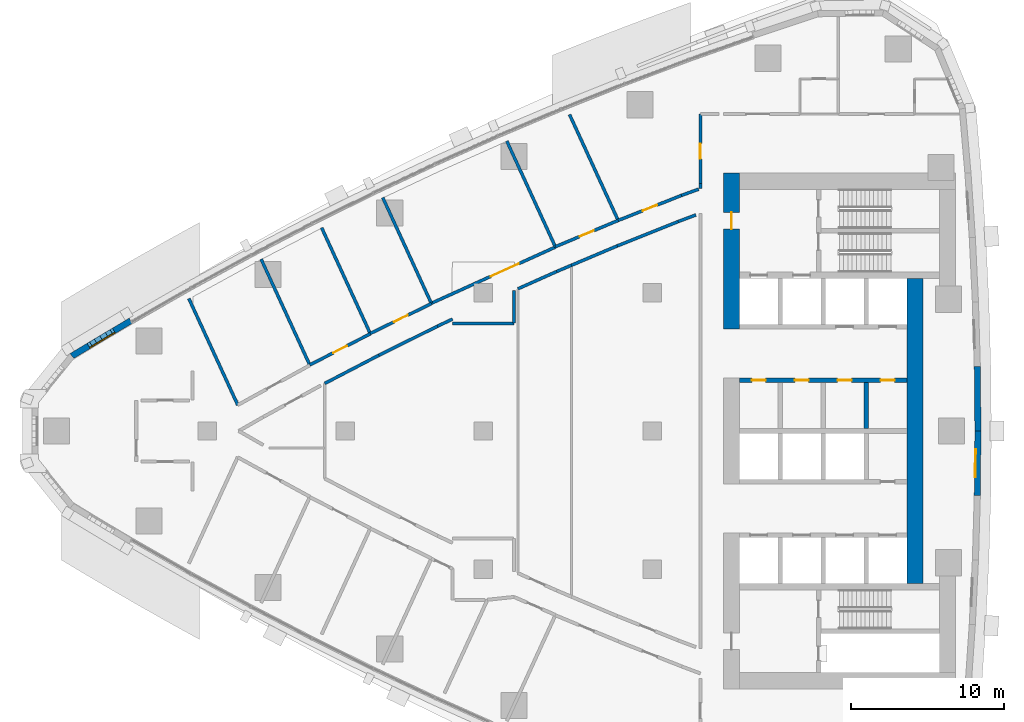
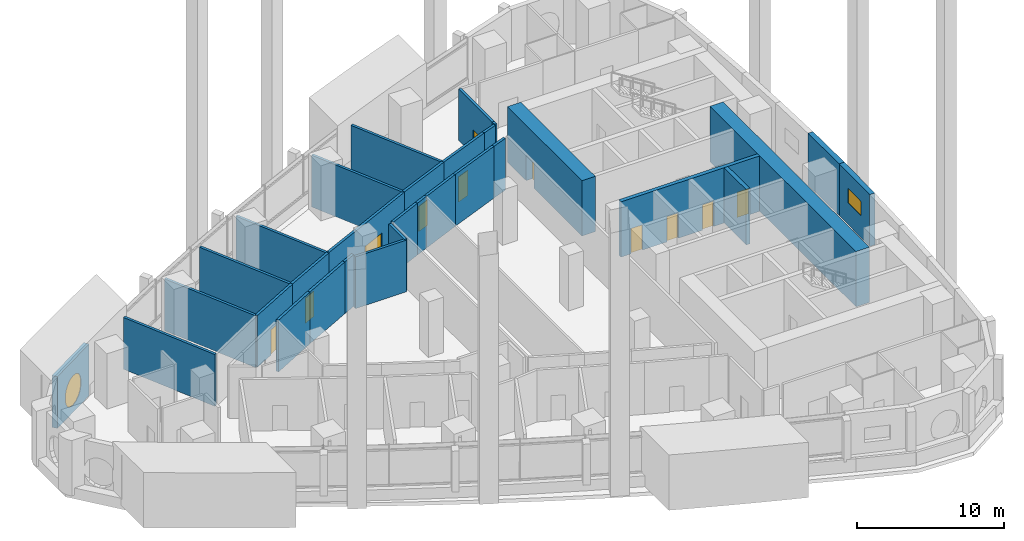
# One storey, part 10 of 17: 31 walls, 11 doors, 2 windows, 13 openings.
"""IFC4 building model written with IfcOpenShell, lengths in metres."""

from ifc_helpers import new_model, si_unit, direction, frame, frame_2d, origin, place, context, subcontext, project, spatial, polyline, rectangle, outline, extrude, material, layer, layer_set, type_object, element, fill, save


model = new_model("IFC4")

# Units and contexts
model_context = context("Model", 3, precision=1e-05, world=origin(), true_north=direction((0.0, 1.0)))
body_context = subcontext(model_context, "Body", "Model", "MODEL_VIEW")
ifc_project = project(units=[si_unit("LENGTHUNIT", "METRE"), si_unit("AREAUNIT", "SQUARE_METRE"), si_unit("VOLUMEUNIT", "CUBIC_METRE"), si_unit("PLANEANGLEUNIT", "RADIAN"), si_unit("MASSUNIT", "GRAM", prefix="KILO")], contexts=[model_context])

# Site, building, storey
site_placement = place(None, origin())
site = spatial("IfcSite", under=ifc_project, at=site_placement, CompositionType="ELEMENT")
building_placement = place(site_placement, origin())
building = spatial("IfcBuilding", under=site, at=building_placement, Name="Ostrand Prow Hotel Tower", CompositionType="ELEMENT")
storey_placement = place(building_placement, frame((0.0, 0.0, 80.300048828125)))
storey = spatial("IfcBuildingStorey", under=building, at=storey_placement, Name="L18", CompositionType="ELEMENT", Elevation=80.300048828125)

# Wall, opening, door
ifc_material_1 = material(Name="Concrete C80/95", Category="concrete")
ifc_layer_1 = layer(ifc_material_1, 1.050048828125)
ifc_layer_set_1 = layer_set([ifc_layer_1], Name="Concrete C80/95")
wall_type_1 = type_object("IfcWallType", Name="Core wall 1050 C80/95", PredefinedType="SHEAR", material=ifc_layer_set_1)
wall_1_placement = place(storey_placement, frame((50.175048828125, 6.64990234375, 0.0), z_axis=(0.0, 0.0, 1.0), x_axis=(0.0, 1.0, 0.0)))
wall_1 = element("IfcWall", 1, at=wall_1_placement, inside=storey, type_object=wall_type_1, Name="Core wall CW-W-N", PredefinedType="SHEAR", context=body_context, shape_type="SweptSolid", body=[
    extrude(rectangle(XDim=10.150146484375, YDim=1.050048828125, at=frame_2d((5.0751953125, 0.0))), origin(), (0.0, 0.0, 1.0), 4.599853515625),
])
opening_1_placement = place(wall_1_placement, frame((6.5, 0.0, 0.0)))
opening_1 = element("IfcOpeningElement", 2, at=opening_1_placement, cuts=wall_1, Name="Opening FD1", PredefinedType="OPENING", context=body_context, shape_type="SweptSolid", body=[
    extrude(rectangle(XDim=1.10009765625, YDim=2.10009765625, at=frame_2d((0.550048828125, 1.050048828125))), frame((0.0, 0.534912109375, 0.0), z_axis=(0.0, -1.0, 0.0), x_axis=(1.0, 0.0, 0.0)), (0.0, 0.0, 1.0), 1.070068359375),
])
ifc_material_2 = material(Name="Steel fire door", Category="steel")
door_type_1 = type_object("IfcDoorType", Name="Fire door 1100 EI120", OperationType="SINGLE_SWING_RIGHT", PredefinedType="DOOR", material=ifc_material_2)
door_1_placement = place(opening_1_placement, origin())
door_1 = element("IfcDoor", 3, at=door_1_placement, inside=storey, type_object=door_type_1, Name="FIRE DOOR", OperationType="SINGLE_SWING_RIGHT", OverallHeight=2.10009765625, OverallWidth=1.10009765625, PredefinedType="DOOR", context=body_context, shape_type="SweptSolid", body=[
    extrude(rectangle(XDim=1.10009765625, YDim=2.10009765625, at=frame_2d((0.550048828125, 1.050048828125))), frame((0.0, 0.02490234375, 0.0), z_axis=(0.0, -1.0, 0.0), x_axis=(1.0, 0.0, 0.0)), (0.0, 0.0, 1.0), 0.050048828125),
])
fill(opening_1, door_1)

# Wall
wall_2_placement = place(storey_placement, frame((62.125, -9.949951171875, 0.0), z_axis=(0.0, 0.0, 1.0), x_axis=(0.0, 1.0, 0.0)))
element("IfcWall", 4, at=wall_2_placement, inside=storey, type_object=wall_type_1, Name="Core wall CW-E-C", PredefinedType="SHEAR", context=body_context, shape_type="SweptSolid", body=[
    extrude(rectangle(XDim=19.89990234375, YDim=1.050048828125, at=frame_2d((9.949951171875, 0.0))), origin(), (0.0, 0.0, 1.0), 4.599853515625),
])

# Wall, openings, doors
ifc_material_3 = material(Name="Concrete C80/95", Category="concrete")
ifc_layer_2 = layer(ifc_material_3, 0.300048828125)
ifc_layer_set_2 = layer_set([ifc_layer_2], Name="Concrete C80/95")
wall_type_2 = type_object("IfcWallType", Name="Core wall 300 C80/95", PredefinedType="SHEAR", material=ifc_layer_set_2)
wall_3_placement = place(storey_placement, frame((50.699951171875, 3.300048828125, 0.0), z_axis=(0.0, 0.0, 1.0), x_axis=(1.0, 0.0, 0.0)))
wall_3 = element("IfcWall", 5, at=wall_3_placement, inside=storey, type_object=wall_type_2, Name="Core wall PW-L1-N", PredefinedType="SHEAR", context=body_context, shape_type="SweptSolid", body=[
    extrude(rectangle(XDim=10.900146484375, YDim=0.300048828125, at=frame_2d((5.4501953125, 0.0))), origin(), (0.0, 0.0, 1.0), 4.599853515625),
])
opening_2_placement = place(wall_3_placement, frame((0.800048828125, 0.0, 0.0)))
opening_2 = element("IfcOpeningElement", 6, at=opening_2_placement, cuts=wall_3, Name="Opening FD2", PredefinedType="OPENING", context=body_context, shape_type="SweptSolid", body=[
    extrude(rectangle(XDim=0.89990234375, YDim=2.10009765625, at=frame_2d((0.449951171875, 1.050048828125))), frame((0.0, 0.159912109375, 0.0), z_axis=(0.0, -1.0, 0.0), x_axis=(1.0, 0.0, 0.0)), (0.0, 0.0, 1.0), 0.320068359375),
])
opening_3_placement = place(wall_3_placement, frame((3.60009765625, 0.0, 0.0)))
opening_3 = element("IfcOpeningElement", 7, at=opening_3_placement, cuts=wall_3, Name="Opening FD2", PredefinedType="OPENING", context=body_context, shape_type="SweptSolid", body=[
    extrude(rectangle(XDim=0.89990234375, YDim=2.10009765625, at=frame_2d((0.449951171875, 1.050048828125))), frame((0.0, 0.159912109375, 0.0), z_axis=(0.0, -1.0, 0.0), x_axis=(1.0, 0.0, 0.0)), (0.0, 0.0, 1.0), 0.320068359375),
])
opening_4_placement = place(wall_3_placement, frame((6.39990234375, 0.0, 0.0)))
opening_4 = element("IfcOpeningElement", 8, at=opening_4_placement, cuts=wall_3, Name="Opening FD2", PredefinedType="OPENING", context=body_context, shape_type="SweptSolid", body=[
    extrude(rectangle(XDim=0.89990234375, YDim=2.10009765625, at=frame_2d((0.449951171875, 1.050048828125))), frame((0.0, 0.159912109375, 0.0), z_axis=(0.0, -1.0, 0.0), x_axis=(1.0, 0.0, 0.0)), (0.0, 0.0, 1.0), 0.320068359375),
])
opening_5_placement = place(wall_3_placement, frame((9.199951171875, 0.0, 0.0)))
opening_5 = element("IfcOpeningElement", 9, at=opening_5_placement, cuts=wall_3, Name="Opening FD2", PredefinedType="OPENING", context=body_context, shape_type="SweptSolid", body=[
    extrude(rectangle(XDim=0.89990234375, YDim=2.10009765625, at=frame_2d((0.449951171875, 1.050048828125))), frame((0.0, 0.159912109375, 0.0), z_axis=(0.0, -1.0, 0.0), x_axis=(1.0, 0.0, 0.0)), (0.0, 0.0, 1.0), 0.320068359375),
])
ifc_material_4 = material(Name="Steel fire door", Category="steel")
door_type_2 = type_object("IfcDoorType", Name="Fire door 900 EI120", OperationType="SINGLE_SWING_LEFT", PredefinedType="DOOR", material=ifc_material_4)
door_2_placement = place(opening_2_placement, origin())
door_2 = element("IfcDoor", 10, at=door_2_placement, inside=storey, type_object=door_type_2, Name="DOOR", OperationType="SINGLE_SWING_LEFT", OverallHeight=2.10009765625, OverallWidth=0.89990234375, PredefinedType="DOOR", context=body_context, shape_type="SweptSolid", body=[
    extrude(rectangle(XDim=0.89990234375, YDim=2.10009765625, at=frame_2d((0.449951171875, 1.050048828125))), frame((0.0, 0.02490234375, 0.0), z_axis=(0.0, -1.0, 0.0), x_axis=(1.0, 0.0, 0.0)), (0.0, 0.0, 1.0), 0.050048828125),
])
fill(opening_2, door_2)
door_3_placement = place(opening_3_placement, origin())
door_3 = element("IfcDoor", 11, at=door_3_placement, inside=storey, type_object=door_type_2, Name="DOOR", OperationType="SINGLE_SWING_LEFT", OverallHeight=2.10009765625, OverallWidth=0.89990234375, PredefinedType="DOOR", context=body_context, shape_type="SweptSolid", body=[
    extrude(rectangle(XDim=0.89990234375, YDim=2.10009765625, at=frame_2d((0.449951171875, 1.050048828125))), frame((0.0, 0.02490234375, 0.0), z_axis=(0.0, -1.0, 0.0), x_axis=(1.0, 0.0, 0.0)), (0.0, 0.0, 1.0), 0.050048828125),
])
fill(opening_3, door_3)
door_4_placement = place(opening_4_placement, origin())
door_4 = element("IfcDoor", 12, at=door_4_placement, inside=storey, type_object=door_type_2, Name="DOOR", OperationType="SINGLE_SWING_LEFT", OverallHeight=2.10009765625, OverallWidth=0.89990234375, PredefinedType="DOOR", context=body_context, shape_type="SweptSolid", body=[
    extrude(rectangle(XDim=0.89990234375, YDim=2.10009765625, at=frame_2d((0.449951171875, 1.050048828125))), frame((0.0, 0.02490234375, 0.0), z_axis=(0.0, -1.0, 0.0), x_axis=(1.0, 0.0, 0.0)), (0.0, 0.0, 1.0), 0.050048828125),
])
fill(opening_4, door_4)
door_5_placement = place(opening_5_placement, origin())
door_5 = element("IfcDoor", 13, at=door_5_placement, inside=storey, type_object=door_type_2, Name="DOOR", OperationType="SINGLE_SWING_LEFT", OverallHeight=2.10009765625, OverallWidth=0.89990234375, PredefinedType="DOOR", context=body_context, shape_type="SweptSolid", body=[
    extrude(rectangle(XDim=0.89990234375, YDim=2.10009765625, at=frame_2d((0.449951171875, 1.050048828125))), frame((0.0, 0.02490234375, 0.0), z_axis=(0.0, -1.0, 0.0), x_axis=(1.0, 0.0, 0.0)), (0.0, 0.0, 1.0), 0.050048828125),
])
fill(opening_5, door_5)

# Wall
wall_4_placement = place(storey_placement, frame((58.949951171875, 0.14990234375, 0.0), z_axis=(0.0, 0.0, 1.0), x_axis=(0.0, 1.0, 0.0)))
element("IfcWall", 14, at=wall_4_placement, inside=storey, type_object=wall_type_2, Name="Core wall PW-R3-NB", PredefinedType="SHEAR", context=body_context, shape_type="SweptSolid", body=[
    extrude(rectangle(XDim=3.0, YDim=0.300048828125, at=frame_2d((1.5, 0.0))), origin(), (0.0, 0.0, 1.0), 4.599853515625),
])

# Wall, opening, door
ifc_material_5 = material(Name="Plasterboard partition")
ifc_layer_3 = layer(ifc_material_5, 0.199951171875)
ifc_layer_set_3 = layer_set([ifc_layer_3], Name="Plasterboard partition")
wall_type_3 = type_object("IfcWallType", Name="Partition 200 corridor wall", PredefinedType="PARTITIONING", material=ifc_layer_set_3)
wall_5_placement = place(storey_placement, frame((22.6904296875, 4.302490234375, 0.0), z_axis=(0.0, 0.0, 1.0), x_axis=(0.889236075961, 0.457448577667, 0.0)))
wall_5 = element("IfcWall", 15, at=wall_5_placement, inside=storey, type_object=wall_type_3, Name="CORRIDOR WALL", PredefinedType="PARTITIONING", context=body_context, shape_type="SweptSolid", body=[
    extrude(rectangle(XDim=4.443115234375, YDim=0.199951171875, at=frame_2d((2.2216796875, 0.0))), origin(), (0.0, 0.0, 1.0), 4.300048828125),
])
opening_6_placement = place(wall_5_placement, frame((1.721435546875, 0.0, 0.0)))
opening_6 = element("IfcOpeningElement", 16, at=opening_6_placement, cuts=wall_5, Name="Opening D1", PredefinedType="OPENING", context=body_context, shape_type="SweptSolid", body=[
    extrude(rectangle(XDim=1.0, YDim=2.10009765625, at=frame_2d((0.5, 1.050048828125))), frame((0.0, 0.10986328125, 0.0), z_axis=(0.0, -1.0, 0.0), x_axis=(1.0, 0.0, 0.0)), (0.0, 0.0, 1.0), 0.219970703125),
])
ifc_material_6 = material(Name="Timber door leaf", Category="wood")
door_type_3 = type_object("IfcDoorType", Name="Guest room door 1000", OperationType="SINGLE_SWING_LEFT", PredefinedType="DOOR", material=ifc_material_6)
door_6_placement = place(opening_6_placement, origin())
door_6 = element("IfcDoor", 17, at=door_6_placement, inside=storey, type_object=door_type_3, Name="DOOR", OperationType="SINGLE_SWING_LEFT", OverallHeight=2.10009765625, OverallWidth=1.0, PredefinedType="DOOR", context=body_context, shape_type="SweptSolid", body=[
    extrude(rectangle(XDim=1.0, YDim=2.10009765625, at=frame_2d((0.5, 1.050048828125))), frame((0.0, 0.02490234375, 0.0), z_axis=(0.0, -1.0, 0.0), x_axis=(1.0, 0.0, 0.0)), (0.0, 0.0, 1.0), 0.050048828125),
])
fill(opening_6, door_6)

wall_6_placement = place(storey_placement, frame((26.6328125, 6.35302734375, 0.0), z_axis=(0.0, 0.0, 1.0), x_axis=(0.898502457097, 0.438968489291, 0.0)))
wall_6 = element("IfcWall", 18, at=wall_6_placement, inside=storey, type_object=wall_type_3, Name="CORRIDOR WALL", PredefinedType="PARTITIONING", context=body_context, shape_type="SweptSolid", body=[
    extrude(rectangle(XDim=4.43994140625, YDim=0.199951171875, at=frame_2d((2.219970703125, 0.0))), origin(), (0.0, 0.0, 1.0), 4.300048828125),
])
opening_7_placement = place(wall_6_placement, frame((1.719970703125, 0.0, 0.0)))
opening_7 = element("IfcOpeningElement", 19, at=opening_7_placement, cuts=wall_6, Name="Opening D1R", PredefinedType="OPENING", context=body_context, shape_type="SweptSolid", body=[
    extrude(rectangle(XDim=1.0, YDim=2.10009765625, at=frame_2d((0.5, 1.050048828125))), frame((0.0, 0.10986328125, 0.0), z_axis=(0.0, -1.0, 0.0), x_axis=(1.0, 0.0, 0.0)), (0.0, 0.0, 1.0), 0.219970703125),
])
ifc_material_7 = material(Name="Timber door leaf", Category="wood")
door_type_4 = type_object("IfcDoorType", Name="Guest room door 1000 right", OperationType="SINGLE_SWING_RIGHT", PredefinedType="DOOR", material=ifc_material_7)
door_7_placement = place(opening_7_placement, origin())
door_7 = element("IfcDoor", 20, at=door_7_placement, inside=storey, type_object=door_type_4, Name="DOOR", OperationType="SINGLE_SWING_RIGHT", OverallHeight=2.10009765625, OverallWidth=1.0, PredefinedType="DOOR", context=body_context, shape_type="SweptSolid", body=[
    extrude(rectangle(XDim=1.0, YDim=2.10009765625, at=frame_2d((0.5, 1.050048828125))), frame((0.0, 0.02490234375, 0.0), z_axis=(0.0, -1.0, 0.0), x_axis=(1.0, 0.0, 0.0)), (0.0, 0.0, 1.0), 0.050048828125),
])
fill(opening_7, door_7)

wall_7_placement = place(storey_placement, frame((30.61376953125, 8.320068359375, 0.0), z_axis=(0.0, 0.0, 1.0), x_axis=(0.910751030363, 0.41295588226, 0.0)))
wall_7 = element("IfcWall", 21, at=wall_7_placement, inside=storey, type_object=wall_type_3, Name="CORRIDOR WALL", PredefinedType="PARTITIONING", context=body_context, shape_type="SweptSolid", body=[
    extrude(rectangle(XDim=8.88330078125, YDim=0.199951171875, at=frame_2d((4.441650390625, 0.0))), origin(), (0.0, 0.0, 1.0), 4.300048828125),
])
opening_8_placement = place(wall_7_placement, frame((4.25, 0.0, 0.0)))
opening_8 = element("IfcOpeningElement", 22, at=opening_8_placement, cuts=wall_7, Name="Opening D20", PredefinedType="OPENING", context=body_context, shape_type="SweptSolid", body=[
    extrude(rectangle(XDim=2.0, YDim=2.39990234375, at=frame_2d((1.0, 1.199951171875))), frame((0.0, 0.10986328125, 0.0), z_axis=(0.0, -1.0, 0.0), x_axis=(1.0, 0.0, 0.0)), (0.0, 0.0, 1.0), 0.219970703125),
])
ifc_material_8 = material(Name="Timber door leaf", Category="wood")
door_type_5 = type_object("IfcDoorType", Name="Double door 2000", OperationType="DOUBLE_DOOR_SINGLE_SWING", PredefinedType="DOOR", material=ifc_material_8)
door_8_placement = place(opening_8_placement, origin())
door_8 = element("IfcDoor", 23, at=door_8_placement, inside=storey, type_object=door_type_5, Name="DOOR", OperationType="DOUBLE_DOOR_SINGLE_SWING", OverallHeight=2.39990234375, OverallWidth=2.0, PredefinedType="DOOR", context=body_context, shape_type="SweptSolid", body=[
    extrude(rectangle(XDim=2.0, YDim=2.39990234375, at=frame_2d((1.0, 1.199951171875))), frame((0.0, 0.02490234375, 0.0), z_axis=(0.0, -1.0, 0.0), x_axis=(1.0, 0.0, 0.0)), (0.0, 0.0, 1.0), 0.050048828125),
])
fill(opening_8, door_8)

wall_8_placement = place(storey_placement, frame((42.791015625, 13.7236328125, 0.0), z_axis=(0.0, 0.0, 1.0), x_axis=(-0.922230433067, -0.386640696675, 0.0)))
wall_8 = element("IfcWall", 24, at=wall_8_placement, inside=storey, type_object=wall_type_3, Name="CORRIDOR WALL", PredefinedType="PARTITIONING", context=body_context, shape_type="SweptSolid", body=[
    extrude(rectangle(XDim=4.440185546875, YDim=0.199951171875, at=frame_2d((2.22021484375, 0.0))), origin(), (0.0, 0.0, 1.0), 4.300048828125),
])
opening_9_placement = place(wall_8_placement, frame((1.72021484375, 0.0, 0.0)))
opening_9 = element("IfcOpeningElement", 25, at=opening_9_placement, cuts=wall_8, Name="Opening D1R", PredefinedType="OPENING", context=body_context, shape_type="SweptSolid", body=[
    extrude(rectangle(XDim=1.0, YDim=2.10009765625, at=frame_2d((0.5, 1.050048828125))), frame((0.0, 0.10986328125, 0.0), z_axis=(0.0, -1.0, 0.0), x_axis=(1.0, 0.0, 0.0)), (0.0, 0.0, 1.0), 0.219970703125),
])
door_9_placement = place(opening_9_placement, origin())
door_9 = element("IfcDoor", 26, at=door_9_placement, inside=storey, type_object=door_type_4, Name="DOOR", OperationType="SINGLE_SWING_RIGHT", OverallHeight=2.10009765625, OverallWidth=1.0, PredefinedType="DOOR", context=body_context, shape_type="SweptSolid", body=[
    extrude(rectangle(XDim=1.0, YDim=2.10009765625, at=frame_2d((0.5, 1.050048828125))), frame((0.0, 0.02490234375, 0.0), z_axis=(0.0, -1.0, 0.0), x_axis=(1.0, 0.0, 0.0)), (0.0, 0.0, 1.0), 0.050048828125),
])
fill(opening_9, door_9)

wall_9_placement = place(storey_placement, frame((46.92431640625, 15.356689453125, 0.0), z_axis=(0.0, 0.0, 1.0), x_axis=(-0.930040633249, -0.367456692014, 0.0)))
wall_9 = element("IfcWall", 27, at=wall_9_placement, inside=storey, type_object=wall_type_3, Name="CORRIDOR WALL", PredefinedType="PARTITIONING", context=body_context, shape_type="SweptSolid", body=[
    extrude(rectangle(XDim=4.4443359375, YDim=0.199951171875, at=frame_2d((2.22216796875, 0.0))), origin(), (0.0, 0.0, 1.0), 4.300048828125),
])
opening_10_placement = place(wall_9_placement, frame((1.72216796875, 0.0, 0.0)))
opening_10 = element("IfcOpeningElement", 28, at=opening_10_placement, cuts=wall_9, Name="Opening D1", PredefinedType="OPENING", context=body_context, shape_type="SweptSolid", body=[
    extrude(rectangle(XDim=1.0, YDim=2.10009765625, at=frame_2d((0.5, 1.050048828125))), frame((0.0, 0.10986328125, 0.0), z_axis=(0.0, -1.0, 0.0), x_axis=(1.0, 0.0, 0.0)), (0.0, 0.0, 1.0), 0.219970703125),
])
door_10_placement = place(opening_10_placement, origin())
door_10 = element("IfcDoor", 29, at=door_10_placement, inside=storey, type_object=door_type_3, Name="DOOR", OperationType="SINGLE_SWING_LEFT", OverallHeight=2.10009765625, OverallWidth=1.0, PredefinedType="DOOR", context=body_context, shape_type="SweptSolid", body=[
    extrude(rectangle(XDim=1.0, YDim=2.10009765625, at=frame_2d((0.5, 1.050048828125))), frame((0.0, 0.02490234375, 0.0), z_axis=(0.0, -1.0, 0.0), x_axis=(1.0, 0.0, 0.0)), (0.0, 0.0, 1.0), 0.050048828125),
])
fill(opening_10, door_10)

# Walls
wall_10_placement = place(storey_placement, frame((31.02490234375, 6.83349609375, 0.0), z_axis=(0.0, 0.0, 1.0), x_axis=(0.904690325494, 0.426069730159, 0.0)))
element("IfcWall", 30, at=wall_10_placement, inside=storey, type_object=wall_type_3, Name="CORRIDOR WALL", PredefinedType="PARTITIONING", context=body_context, shape_type="SweptSolid", body=[
    extrude(rectangle(XDim=1.077880859375, YDim=0.199951171875, at=frame_2d((0.5390625, 0.0))), origin(), (0.0, 0.0, 1.0), 4.300048828125),
])
wall_11_placement = place(storey_placement, frame((23.662109375, 3.094970703125, 0.0), z_axis=(0.0, 0.0, 1.0), x_axis=(0.886903625221, 0.461954499459, 0.0)))
element("IfcWall", 31, at=wall_11_placement, inside=storey, type_object=wall_type_3, Name="CORRIDOR WALL", PredefinedType="PARTITIONING", context=body_context, shape_type="SweptSolid", body=[
    extrude(rectangle(XDim=3.98486328125, YDim=0.199951171875, at=frame_2d((1.992431640625, 0.0))), origin(), (0.0, 0.0, 1.0), 4.300048828125),
])
wall_12_placement = place(storey_placement, frame((27.1962890625, 4.935791015625, 0.0), z_axis=(0.0, 0.0, 1.0), x_axis=(0.895975836328, 0.44410280422, 0.0)))
element("IfcWall", 32, at=wall_12_placement, inside=storey, type_object=wall_type_3, Name="CORRIDOR WALL", PredefinedType="PARTITIONING", context=body_context, shape_type="SweptSolid", body=[
    extrude(rectangle(XDim=4.273193359375, YDim=0.199951171875, at=frame_2d((2.13671875, 0.0))), origin(), (0.0, 0.0, 1.0), 4.300048828125),
])
wall_13_placement = place(storey_placement, frame((38.7919921875, 10.397216796875, 0.0), z_axis=(0.0, 0.0, 1.0), x_axis=(0.921080112261, 0.389373120281, 0.0)))
element("IfcWall", 33, at=wall_13_placement, inside=storey, type_object=wall_type_3, Name="CORRIDOR WALL", PredefinedType="PARTITIONING", context=body_context, shape_type="SweptSolid", body=[
    extrude(rectangle(XDim=1.044677734375, YDim=0.199951171875, at=frame_2d((0.5224609375, 0.0))), origin(), (0.0, 0.0, 1.0), 4.300048828125),
])
wall_14_placement = place(storey_placement, frame((36.255859375, 9.26416015625, 0.0), z_axis=(0.0, 0.0, 1.0), x_axis=(0.913023336604, 0.407907326259, 0.0)))
element("IfcWall", 34, at=wall_14_placement, inside=storey, type_object=wall_type_3, Name="CORRIDOR WALL", PredefinedType="PARTITIONING", context=body_context, shape_type="SweptSolid", body=[
    extrude(rectangle(XDim=2.77783203125, YDim=0.199951171875, at=frame_2d((1.388916015625, 0.0))), origin(), (0.0, 0.0, 1.0), 4.300048828125),
])
wall_15_placement = place(storey_placement, frame((42.727783203125, 12.0615234375, 0.0), z_axis=(0.0, 0.0, 1.0), x_axis=(0.928638161177, 0.370986745864, 0.0)))
element("IfcWall", 35, at=wall_15_placement, inside=storey, type_object=wall_type_3, Name="CORRIDOR WALL", PredefinedType="PARTITIONING", context=body_context, shape_type="SweptSolid", body=[
    extrude(rectangle(XDim=4.27294921875, YDim=0.199951171875, at=frame_2d((2.136474609375, 0.0))), origin(), (0.0, 0.0, 1.0), 4.300048828125),
])
wall_16_placement = place(storey_placement, frame((39.754150390625, 10.803955078125, 0.0), z_axis=(0.0, 0.0, 1.0), x_axis=(0.921023598919, 0.389506778163, 0.0)))
element("IfcWall", 36, at=wall_16_placement, inside=storey, type_object=wall_type_3, Name="CORRIDOR WALL", PredefinedType="PARTITIONING", context=body_context, shape_type="SweptSolid", body=[
    extrude(rectangle(XDim=3.228515625, YDim=0.199951171875, at=frame_2d((1.6142578125, 0.0))), origin(), (0.0, 0.0, 1.0), 4.300048828125),
])
wall_17_placement = place(storey_placement, frame((46.69580078125, 13.646728515625, 0.0), z_axis=(0.0, 0.0, 1.0), x_axis=(0.935907269358, 0.352246480696, 0.0)))
element("IfcWall", 37, at=wall_17_placement, inside=storey, type_object=wall_type_3, Name="CORRIDOR WALL", PredefinedType="PARTITIONING", context=body_context, shape_type="SweptSolid", body=[
    extrude(rectangle(XDim=1.238525390625, YDim=0.199951171875, at=frame_2d((0.619140625, 0.0))), origin(), (0.0, 0.0, 1.0), 4.300048828125),
])

# Wall, opening, door
wall_18_placement = place(storey_placement, frame((48.1455078125, 20.65185546875, 0.0), z_axis=(0.0, 0.0, 1.0), x_axis=(-5.3821313e-05, -0.999999998552, 0.0)))
wall_18 = element("IfcWall", 38, at=wall_18_placement, inside=storey, type_object=wall_type_3, Name="CORRIDOR WALL", PredefinedType="PARTITIONING", context=body_context, shape_type="SweptSolid", body=[
    extrude(rectangle(XDim=4.5361328125, YDim=0.199951171875, at=frame_2d((2.26806640625, 0.0))), origin(), (0.0, 0.0, 1.0), 4.300048828125),
])
opening_11_placement = place(wall_18_placement, frame((1.926025390625, 0.0, 0.0)))
opening_11 = element("IfcOpeningElement", 39, at=opening_11_placement, cuts=wall_18, Name="Opening D1R", PredefinedType="OPENING", context=body_context, shape_type="SweptSolid", body=[
    extrude(rectangle(XDim=1.0, YDim=2.10009765625, at=frame_2d((0.5, 1.050048828125))), frame((0.0, 0.10986328125, 0.0), z_axis=(0.0, -1.0, 0.0), x_axis=(1.0, 0.0, 0.0)), (0.0, 0.0, 1.0), 0.219970703125),
])
door_11_placement = place(opening_11_placement, origin())
door_11 = element("IfcDoor", 40, at=door_11_placement, inside=storey, type_object=door_type_4, Name="DOOR", OperationType="SINGLE_SWING_RIGHT", OverallHeight=2.10009765625, OverallWidth=1.0, PredefinedType="DOOR", context=body_context, shape_type="SweptSolid", body=[
    extrude(rectangle(XDim=1.0, YDim=2.10009765625, at=frame_2d((0.5, 1.050048828125))), frame((0.0, 0.02490234375, 0.0), z_axis=(0.0, -1.0, 0.0), x_axis=(1.0, 0.0, 0.0)), (0.0, 0.0, 1.0), 0.050048828125),
])
fill(opening_11, door_11)

# Walls
wall_19_placement = place(storey_placement, frame((31.99951171875, 6.9951171875, 0.0), z_axis=(0.0, 0.0, 1.0), x_axis=(0.99999999256, 0.00012198097, 0.0)))
element("IfcWall", 41, at=wall_19_placement, inside=storey, type_object=wall_type_3, Name="CORRIDOR WALL", PredefinedType="PARTITIONING", context=body_context, shape_type="SweptSolid", body=[
    extrude(rectangle(XDim=4.0029296875, YDim=0.199951171875, at=frame_2d((2.00146484375, 0.0))), origin(), (0.0, 0.0, 1.0), 4.300048828125),
])
wall_20_placement = place(storey_placement, frame((36.00244140625, 7.03564453125, 0.0), z_axis=(0.0, 0.0, 1.0), x_axis=(0.001156603436, 0.999999331134, 0.0)))
element("IfcWall", 42, at=wall_20_placement, inside=storey, type_object=wall_type_3, Name="CORRIDOR WALL", PredefinedType="PARTITIONING", context=body_context, shape_type="SweptSolid", body=[
    extrude(rectangle(XDim=2.11083984375, YDim=0.199951171875, at=frame_2d((1.055419921875, 0.0))), origin(), (0.0, 0.0, 1.0), 4.300048828125),
])
wall_21_placement = place(storey_placement, frame((48.145263671875, 16.11572265625, 0.0), z_axis=(0.0, 0.0, 1.0), x_axis=(0.0, -1.0, 0.0)))
element("IfcWall", 43, at=wall_21_placement, inside=storey, type_object=wall_type_3, Name="CORRIDOR WALL", PredefinedType="PARTITIONING", context=body_context, shape_type="SweptSolid", body=[
    extrude(rectangle(XDim=0.315185546875, YDim=0.199951171875, at=frame_2d((0.15771484375, 0.0))), origin(), (0.0, 0.0, 1.0), 4.300048828125),
])
wall_22_placement = place(storey_placement, frame((48.033203125, 15.75830078125, 0.0), z_axis=(0.0, 0.0, 1.0), x_axis=(-0.940233856013, -0.340529434862, 0.0)))
element("IfcWall", 44, at=wall_22_placement, inside=storey, type_object=wall_type_3, Name="CORRIDOR WALL", PredefinedType="PARTITIONING", context=body_context, shape_type="SweptSolid", body=[
    extrude(rectangle(XDim=1.179443359375, YDim=0.199951171875, at=frame_2d((0.58984375, 0.0))), origin(), (0.0, 0.0, 1.0), 4.300048828125),
])
ifc_material_9 = material(Name="Plasterboard partition")
ifc_layer_4 = layer(ifc_material_9, 0.199951171875)
ifc_layer_set_4 = layer_set([ifc_layer_4], Name="Plasterboard partition")
wall_type_4 = type_object("IfcWallType", Name="Partition 200 key partition", PredefinedType="PARTITIONING", material=ifc_layer_set_4)
wall_23_placement = place(storey_placement, frame((14.814697265625, 8.625732421875, 0.0), z_axis=(0.0, 0.0, 1.0), x_axis=(0.417432341259, -0.908708006166, 0.0)))
element("IfcWall", 45, at=wall_23_placement, inside=storey, type_object=wall_type_4, Name="KEY PARTITION", PredefinedType="PARTITIONING", context=body_context, shape_type="SweptSolid", body=[
    extrude(rectangle(XDim=7.630615234375, YDim=0.199951171875, at=frame_2d((3.8154296875, 0.0))), origin(), (0.0, 0.0, 1.0), 4.300048828125),
])
wall_24_placement = place(storey_placement, frame((22.69873046875, 4.284423828125, 0.0), z_axis=(0.0, 0.0, 1.0), x_axis=(-0.417413534969, 0.908716644959, 0.0)))
element("IfcWall", 46, at=wall_24_placement, inside=storey, type_object=wall_type_4, Name="KEY PARTITION", PredefinedType="PARTITIONING", context=body_context, shape_type="SweptSolid", body=[
    extrude(rectangle(XDim=7.609375, YDim=0.199951171875, at=frame_2d((3.8046875, 0.0))), origin(), (0.0, 0.0, 1.0), 4.300048828125),
])
wall_25_placement = place(storey_placement, frame((26.641357421875, 6.3349609375, 0.0), z_axis=(0.0, 0.0, 1.0), x_axis=(-0.417455028008, 0.908697584233, 0.0)))
element("IfcWall", 47, at=wall_25_placement, inside=storey, type_object=wall_type_4, Name="KEY PARTITION", PredefinedType="PARTITIONING", context=body_context, shape_type="SweptSolid", body=[
    extrude(rectangle(XDim=7.603271484375, YDim=0.199951171875, at=frame_2d((3.8017578125, 0.0))), origin(), (0.0, 0.0, 1.0), 4.300048828125),
])
wall_26_placement = place(storey_placement, frame((30.6220703125, 8.302001953125, 0.0), z_axis=(0.0, 0.0, 1.0), x_axis=(-0.417429919618, 0.90870911859, 0.0)))
element("IfcWall", 48, at=wall_26_placement, inside=storey, type_object=wall_type_4, Name="KEY PARTITION", PredefinedType="PARTITIONING", context=body_context, shape_type="SweptSolid", body=[
    extrude(rectangle(XDim=7.600341796875, YDim=0.199951171875, at=frame_2d((3.80029296875, 0.0))), origin(), (0.0, 0.0, 1.0), 4.300048828125),
])
wall_27_placement = place(storey_placement, frame((38.704345703125, 11.988525390625, 0.0), z_axis=(0.0, 0.0, 1.0), x_axis=(-0.417416334044, 0.908715359215, 0.0)))
element("IfcWall", 49, at=wall_27_placement, inside=storey, type_object=wall_type_4, Name="KEY PARTITION", PredefinedType="PARTITIONING", context=body_context, shape_type="SweptSolid", body=[
    extrude(rectangle(XDim=7.603515625, YDim=0.199951171875, at=frame_2d((3.8017578125, 0.0))), origin(), (0.0, 0.0, 1.0), 4.300048828125),
])
wall_28_placement = place(storey_placement, frame((42.79931640625, 13.705322265625, 0.0), z_axis=(0.0, 0.0, 1.0), x_axis=(-0.417427858403, 0.908710065438, 0.0)))
element("IfcWall", 50, at=wall_28_placement, inside=storey, type_object=wall_type_4, Name="KEY PARTITION", PredefinedType="PARTITIONING", context=body_context, shape_type="SweptSolid", body=[
    extrude(rectangle(XDim=7.609619140625, YDim=0.199951171875, at=frame_2d((3.8046875, 0.0))), origin(), (0.0, 0.0, 1.0), 4.300048828125),
])

# Wall, opening, window
ifc_material_10 = material(Name="Precast concrete C40/50", Category="concrete")
ifc_layer_5 = layer(ifc_material_10, 0.39990234375)
ifc_layer_set_5 = layer_set([ifc_layer_5], Name="Precast concrete C40/50")
wall_type_5 = type_object("IfcWallType", Name="Stone-faced precast wall 400 mm", PredefinedType="NOTDEFINED", material=ifc_layer_set_5)
wall_29_placement = place(storey_placement, frame((11.02587890625, 7.18603515625, 0.0), z_axis=(0.0, 0.0, 1.0), x_axis=(-0.857550776474, -0.514399325202, 0.0)))
wall_29 = element("IfcWall", 51, at=wall_29_placement, inside=storey, type_object=wall_type_5, Name="Stone-faced wall prow 1", PredefinedType="NOTDEFINED", context=body_context, shape_type="SweptSolid", body=[
    extrude(outline(polyline([(0.0, -0.199951171875), (4.50341796875, -0.199951171875), (4.4326171875, 0.199951171875), (0.0, 0.199951171875), (0.0, -0.199951171875)])), origin(), (0.0, 0.0, 1.0), 4.300048828125),
])
opening_12_placement = place(wall_29_placement, frame((1.134033203125, 0.0, 0.60009765625)))
opening_12 = element("IfcOpeningElement", 52, at=opening_12_placement, cuts=wall_29, Name="Opening WP2", PredefinedType="OPENING", context=body_context, shape_type="SweptSolid", body=[
    extrude(outline(polyline([(0.0, 1.35009765625), (0.083740234375, 1.77099609375), (0.322265625, 2.127685546875), (0.678955078125, 2.3662109375), (1.10009765625, 2.449951171875), (1.52099609375, 2.3662109375), (1.877685546875, 2.127685546875), (2.1162109375, 1.77099609375), (2.199951171875, 1.35009765625), (2.199951171875, 1.10009765625), (2.1162109375, 0.678955078125), (1.877685546875, 0.322265625), (1.52099609375, 0.083740234375), (1.10009765625, 0.0), (0.678955078125, 0.083740234375), (0.322265625, 0.322265625), (0.083740234375, 0.678955078125), (0.0, 1.099853515625), (0.0, 1.35009765625)])), frame((0.0, 0.2099609375, 0.0), z_axis=(0.0, -1.0, 0.0), x_axis=(1.0, 0.0, 0.0)), (0.0, 0.0, 1.0), 0.419921875),
])
ifc_material_11 = material(Name="Insulated glass in bronze frame", Category="glass")
window_type_1 = type_object("IfcWindowType", Name="Round-ended prow lounge window 2200x2450", PartitioningType="SINGLE_PANEL", PredefinedType="WINDOW", material=ifc_material_11)
window_1_placement = place(opening_12_placement, origin())
window_1 = element("IfcWindow", 53, at=window_1_placement, inside=storey, type_object=window_type_1, Name="Window prow 1.1", OverallHeight=2.449951171875, OverallWidth=2.199951171875, PartitioningType="SINGLE_PANEL", PredefinedType="WINDOW", context=body_context, shape_type="SweptSolid", body=[
    extrude(outline(polyline([(0.0, 1.35009765625), (0.083740234375, 1.77099609375), (0.322265625, 2.127685546875), (0.678955078125, 2.3662109375), (1.10009765625, 2.449951171875), (1.52099609375, 2.3662109375), (1.877685546875, 2.127685546875), (2.1162109375, 1.77099609375), (2.199951171875, 1.35009765625), (2.199951171875, 1.10009765625), (2.1162109375, 0.678955078125), (1.877685546875, 0.322265625), (1.52099609375, 0.083740234375), (1.10009765625, 0.0), (0.678955078125, 0.083740234375), (0.322265625, 0.322265625), (0.083740234375, 0.678955078125), (0.0, 1.099853515625), (0.0, 1.35009765625)])), frame((0.0, 0.169921875, 0.0), z_axis=(0.0, -1.0, 0.0), x_axis=(1.0, 0.0, 0.0)), (0.0, 0.0, 1.0), 0.06005859375),
])
fill(opening_12, window_1)

wall_30_placement = place(storey_placement, frame((66.193603515625, -4.20654296875, 0.0), z_axis=(0.0, 0.0, 1.0), x_axis=(0.00969194175, 0.99995303203, 0.0)))
wall_30 = element("IfcWall", 54, at=wall_30_placement, inside=storey, type_object=wall_type_5, Name="Stone-faced wall back 9", PredefinedType="NOTDEFINED", context=body_context, shape_type="SweptSolid", body=[
    extrude(outline(polyline([(-0.001953125, -0.199951171875), (4.208740234375, -0.199951171875), (4.204833984375, 0.199951171875), (0.001953125, 0.199951171875), (-0.001953125, -0.199951171875)])), origin(), (0.0, 0.0, 1.0), 4.300048828125),
])
opening_13_placement = place(wall_30_placement, frame((1.203369140625, 0.0, 1.800048828125)))
opening_13 = element("IfcOpeningElement", 55, at=opening_13_placement, cuts=wall_30, Name="Opening WC1", PredefinedType="OPENING", context=body_context, shape_type="SweptSolid", body=[
    extrude(rectangle(XDim=1.800048828125, YDim=1.199951171875, at=frame_2d((0.89990234375, 0.60009765625))), frame((0.0, 0.2099609375, 0.0), z_axis=(0.0, -1.0, 0.0), x_axis=(1.0, 0.0, 0.0)), (0.0, 0.0, 1.0), 0.419921875),
])
ifc_material_12 = material(Name="Insulated glass in bronze frame", Category="glass")
window_type_2 = type_object("IfcWindowType", Name="Sky lobby clerestory window 1800x1200", PartitioningType="SINGLE_PANEL", PredefinedType="WINDOW", material=ifc_material_12)
window_2_placement = place(opening_13_placement, origin())
window_2 = element("IfcWindow", 56, at=window_2_placement, inside=storey, type_object=window_type_2, Name="Window back 9.1", OverallHeight=1.199951171875, OverallWidth=1.800048828125, PartitioningType="SINGLE_PANEL", PredefinedType="WINDOW", context=body_context, shape_type="SweptSolid", body=[
    extrude(rectangle(XDim=1.800048828125, YDim=1.199951171875, at=frame_2d((0.89990234375, 0.60009765625))), frame((0.0, 0.169921875, 0.0), z_axis=(0.0, -1.0, 0.0), x_axis=(1.0, 0.0, 0.0)), (0.0, 0.0, 1.0), 0.06005859375),
])
fill(opening_13, window_2)

# Wall
wall_31_placement = place(storey_placement, frame((66.234375, 0.0, 0.0), z_axis=(0.0, 0.0, 1.0), x_axis=(-0.00969194175, 0.99995303203, 0.0)))
element("IfcWall", 57, at=wall_31_placement, inside=storey, type_object=wall_type_5, Name="Stone-faced wall back 10", PredefinedType="NOTDEFINED", context=body_context, shape_type="SweptSolid", body=[
    extrude(outline(polyline([(-0.001953125, -0.199951171875), (4.208740234375, -0.199951171875), (4.204833984375, 0.199951171875), (0.001953125, 0.199951171875), (-0.001953125, -0.199951171875)])), origin(), (0.0, 0.0, 1.0), 4.300048828125),
])

save(model, "model.ifc")
